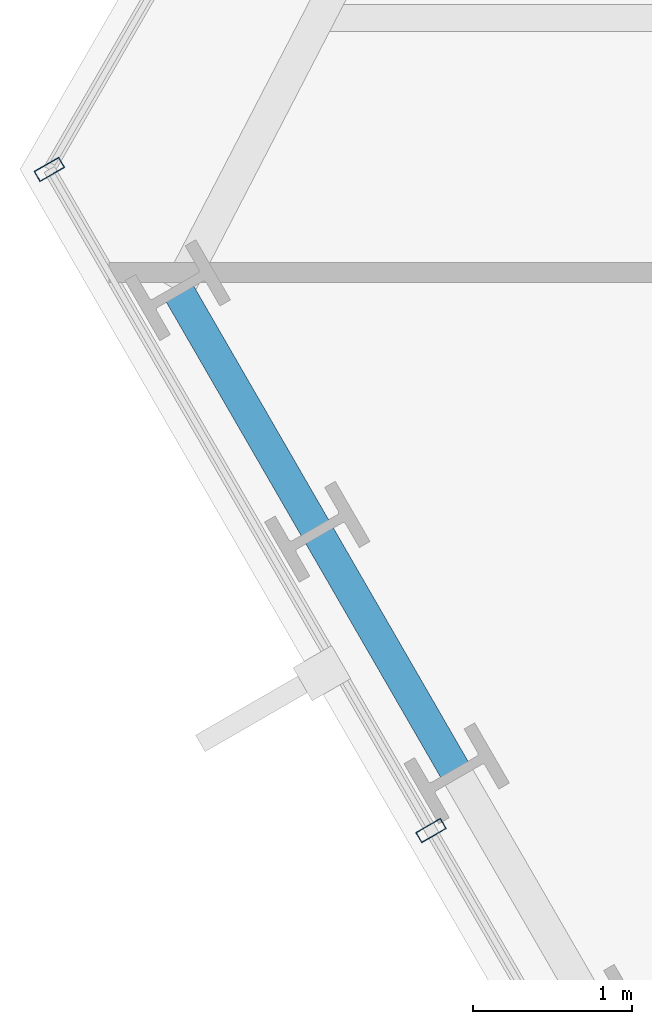
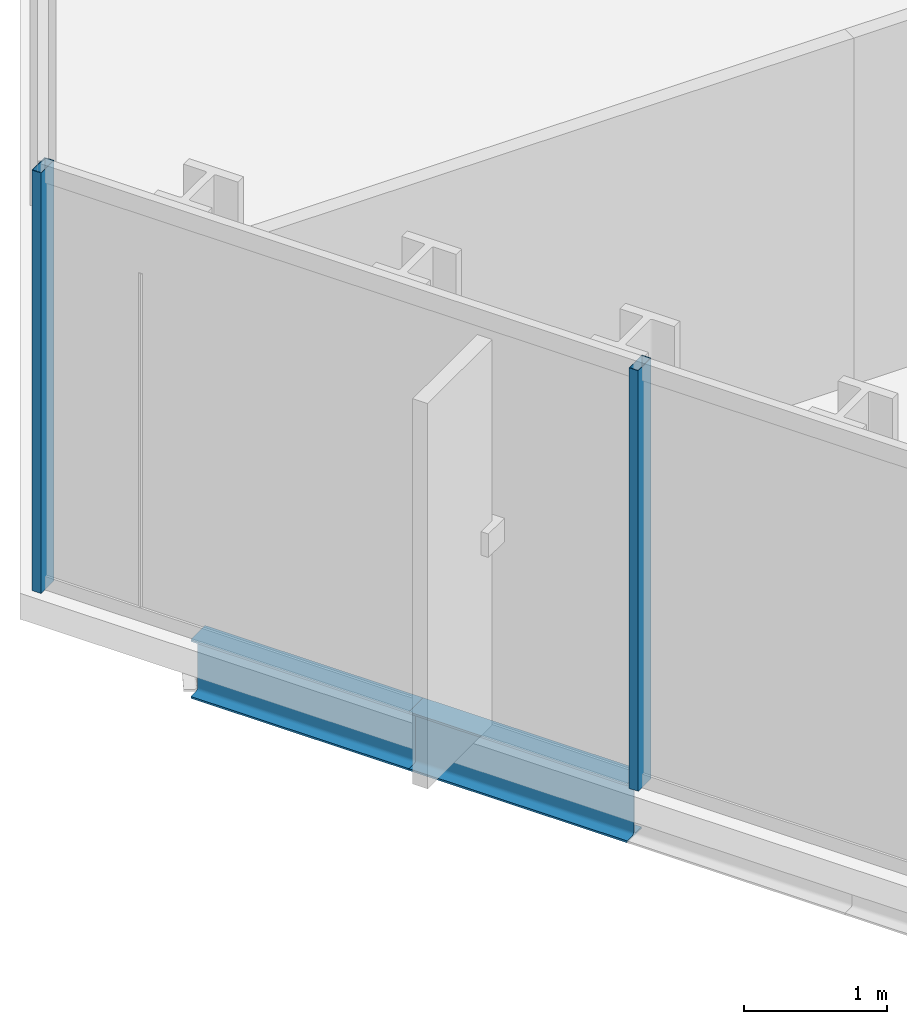
# One storey, part 5 of 33: 2 beams, 2 members, 1 element without a shape of its own.
"""IFC4 building model written with IfcOpenShell, lengths in metres."""

import ifcopenshell
import ifcopenshell.guid

model = None  # the IFC model being written
_history = None  # IfcOwnerHistory: only IFC2X3 demands one
_inside = {}  # id of a spatial element -> (the spatial element, [elements in it])
_under = {}  # id of a project, library or spatial element -> (it, [spatial elements below it])
_declared = {}  # id of a project -> (the project, [libraries it declares])
_typed = {}  # id of a type object -> (the type object, [elements of that type])
_made_of = {}  # id of a material, layer set ... -> (it, [elements and type objects made of it])


def new_model(schema):
    """Start an empty IFC model of exactly this schema.

    Asked for "IFC4X3", IfcOpenShell would pick the latest addendum, in which some entities
    have other attributes; the version numbers below select the first issue.
    IFC2X3 requires an IfcOwnerHistory on every rooted entity: one is made here for all.
    """
    global model, _history
    if schema == "IFC4X3":
        model = ifcopenshell.file(schema_version=(4, 3, 0, 0))
    else:
        model = ifcopenshell.file(schema=schema)
    _inside.clear()
    _under.clear()
    _declared.clear()
    _typed.clear()
    _made_of.clear()
    _history = None
    if model.schema == "IFC2X3":
        org = make("IfcOrganization", Name="unknown")
        user = make(
            "IfcPersonAndOrganization",
            ThePerson=make("IfcPerson", FamilyName="unknown"),
            TheOrganization=org,
        )
        app = make(
            "IfcApplication",
            ApplicationDeveloper=org,
            Version="unknown",
            ApplicationFullName="unknown",
            ApplicationIdentifier="unknown",
        )
        _history = make(
            "IfcOwnerHistory",
            OwningUser=user,
            OwningApplication=app,
            ChangeAction="ADDED",
            CreationDate=0,
        )
    return model


def make(cls, **values):
    """One entity of the class cls with the attributes given. An attribute that is None is left unset."""
    return model.create_entity(
        cls, **{name: value for name, value in values.items() if value is not None}
    )


def rooted(cls, **values):
    """An entity with a GlobalId (a new one), such as an element, a storey or a relation."""
    return make(cls, GlobalId=ifcopenshell.guid.new(), OwnerHistory=_history, **values)


def si_unit(unit_type, name, prefix=None):
    """IfcSIUnit, for example si_unit("LENGTHUNIT", "METRE", prefix="MILLI")."""
    return make("IfcSIUnit", UnitType=unit_type, Prefix=prefix, Name=name)


def assignment(units):
    """IfcUnitAssignment: the units of a project."""
    return None if units is None else make("IfcUnitAssignment", Units=units)


def point(xyz):
    """IfcCartesianPoint."""
    return None if xyz is None else make("IfcCartesianPoint", Coordinates=xyz)


def direction(xyz):
    """IfcDirection."""
    return None if xyz is None else make("IfcDirection", DirectionRatios=xyz)


def frame(location, z_axis=None, x_axis=None):
    """IfcAxis2Placement3D, a coordinate frame: its origin and axes. An axis left out is left unset."""
    return make(
        "IfcAxis2Placement3D",
        Location=point(location),
        Axis=direction(z_axis),
        RefDirection=direction(x_axis),
    )


def frame_2d(location, x_axis=None):
    """IfcAxis2Placement2D, a coordinate frame in the plane: its origin and x axis."""
    return make(
        "IfcAxis2Placement2D", Location=point(location), RefDirection=direction(x_axis)
    )


def origin():
    """The frame at (0, 0, 0) with its axes left unset."""
    return frame((0.0, 0.0, 0.0))


def origin_2d():
    """The frame at (0, 0) in the plane with its x axis left unset."""
    return frame_2d((0.0, 0.0))


def place(relative_to, where):
    """IfcLocalPlacement: puts the frame where relative to a parent placement (None: the world)."""
    return make(
        "IfcLocalPlacement", PlacementRelTo=relative_to, RelativePlacement=where
    )


def context(
    kind, dimensions, precision=None, world=None, true_north=None, identifier=None
):
    """IfcGeometricRepresentationContext, for example the 3D "Model" context."""
    return make(
        "IfcGeometricRepresentationContext",
        ContextIdentifier=identifier,
        ContextType=kind,
        CoordinateSpaceDimension=dimensions,
        Precision=precision,
        WorldCoordinateSystem=world,
        TrueNorth=true_north,
    )


def subcontext(parent, identifier, kind, view, scale=None):
    """IfcGeometricRepresentationSubContext, for example "Body" below "Model"."""
    return make(
        "IfcGeometricRepresentationSubContext",
        ContextIdentifier=identifier,
        ContextType=kind,
        ParentContext=parent,
        TargetScale=scale,
        TargetView=view,
    )


def project(units=None, contexts=None):
    """IfcProject with its units and contexts."""
    return rooted(
        "IfcProject",
        Name="project",
        RepresentationContexts=contexts,
        UnitsInContext=assignment(units),
    )


def spatial(cls, under=None, at=None, **own):
    """A site, building, storey or space (cls), placed at a placement, below another one or the project."""
    s = rooted(cls, ObjectPlacement=at, **own)
    if under is not None:
        _under.setdefault(under.id(), (under, []))[1].append(s)
    return s


def profile(cls, at=None, kind="AREA", **sizes):
    """A parametric profile (cls). Its sizes go by their IFC names, for example OverallWidth=200.0."""
    return make(cls, ProfileType=kind, Position=at, **sizes)


def hollow_rectangle(**sizes):
    """IfcRectangleHollowProfileDef."""
    return profile("IfcRectangleHollowProfileDef", **sizes)


def i_section(**sizes):
    """IfcIShapeProfileDef."""
    return profile("IfcIShapeProfileDef", **sizes)


def extrude(swept, where, along, depth):
    """IfcExtrudedAreaSolid: the profile swept, set in the frame where, extruded along a direction by depth."""
    return make(
        "IfcExtrudedAreaSolid",
        SweptArea=swept,
        Position=where,
        ExtrudedDirection=direction(along),
        Depth=depth,
    )


def shape(context_of_items, identifier, shape_type, items):
    """IfcShapeRepresentation: the items that make up one representation, for example the "Body"."""
    return make(
        "IfcShapeRepresentation",
        ContextOfItems=context_of_items,
        RepresentationIdentifier=identifier,
        RepresentationType=shape_type,
        Items=items,
    )


def material(Name=None, Category=None):
    """IfcMaterial."""
    return make("IfcMaterial", Name=Name, Category=Category)


def layer(
    of_material, thickness, ventilated=None, Name=None, Category=None, Priority=None
):
    """IfcMaterialLayer: one layer of a wall or slab, of a material (None: an air gap)."""
    return make(
        "IfcMaterialLayer",
        Material=of_material,
        LayerThickness=thickness,
        IsVentilated=ventilated,
        Name=Name,
        Category=Category,
        Priority=Priority,
    )


def layer_set(layers, Name=None):
    """IfcMaterialLayerSet."""
    return make("IfcMaterialLayerSet", MaterialLayers=layers, LayerSetName=Name)


def material_profile(
    of_material, cross_section, Name=None, Category=None, Priority=None
):
    """IfcMaterialProfile: a cross section and its material."""
    return make(
        "IfcMaterialProfile",
        Name=Name,
        Material=of_material,
        Profile=cross_section,
        Priority=Priority,
        Category=Category,
    )


def profile_set(profiles, Name=None, composite=None):
    """IfcMaterialProfileSet."""
    return make(
        "IfcMaterialProfileSet",
        Name=Name,
        MaterialProfiles=profiles,
        CompositeProfile=composite,
    )


def made_of(thing, what):
    """Note that an element or type object is made of a material, layer set ...; save() writes the relation."""
    if what is not None:
        _made_of.setdefault(what.id(), (what, []))[1].append(thing)
    return thing


def type_object(cls, material=None, **own):
    """A type object (cls), such as IfcWallType, which elements share."""
    return made_of(rooted(cls, **own), material)


def element(
    cls,
    number,
    at=None,
    inside=None,
    cuts=None,
    type_object=None,
    material=None,
    context=None,
    identifier="Body",
    shape_type=None,
    held_by="IfcProductDefinitionShape",
    body=None,
    shapes=None,
    **own,
):
    """One element of the class cls, such as IfcWall. Its Tag is "e" and its number.

    at: its placement. inside: the storey or other place that contains it. cuts: it is an
    opening in that element (IfcRelVoidsElement). A single representation is given by context,
    identifier, shape_type and body (its items); several are given by shapes. held_by: the class
    of the entity that holds the representations. save() writes the other relations.
    """
    e = rooted(cls, Tag="e%d" % number, ObjectPlacement=at, **own)
    if body is not None:
        shapes = [shape(context, identifier, shape_type, body)]
    if shapes is not None:
        e.Representation = make(held_by, Representations=shapes)
    if inside is not None:
        _inside.setdefault(inside.id(), (inside, []))[1].append(e)
    if cuts is not None:
        rooted(
            "IfcRelVoidsElement", RelatingBuildingElement=cuts, RelatedOpeningElement=e
        )
    if type_object is not None:
        _typed.setdefault(type_object.id(), (type_object, []))[1].append(e)
    return made_of(e, material)


def aggregate(whole, parts):
    """IfcRelAggregates: a whole, such as a stair, and the parts it consists of."""
    return rooted("IfcRelAggregates", RelatingObject=whole, RelatedObjects=parts)


def save(model, path):
    """Write the relations noted so far, then the file.

    IfcRelAggregates (storeys below a building ...), IfcRelContainedInSpatialStructure (elements
    in a storey), IfcRelDefinesByType, IfcRelAssociatesMaterial and IfcRelDeclares: one each for
    every whole, place, type object, material and project.
    """
    for whole, parts in _under.values():
        aggregate(whole, parts)
    for where, things in _inside.values():
        rooted(
            "IfcRelContainedInSpatialStructure",
            RelatedElements=things,
            RelatingStructure=where,
        )
    for kind, things in _typed.values():
        rooted("IfcRelDefinesByType", RelatedObjects=things, RelatingType=kind)
    for what, things in _made_of.values():
        rooted("IfcRelAssociatesMaterial", RelatedObjects=things, RelatingMaterial=what)
    for by, libraries in _declared.values():
        rooted("IfcRelDeclares", RelatingContext=by, RelatedDefinitions=libraries)
    model.write(path)


model = new_model("IFC4")

# Units and contexts
model_context = context("Model", 3, precision=1e-05, world=origin(), true_north=direction((0.0, 1.0)))
body_context = subcontext(model_context, "Body", "Model", "MODEL_VIEW")
ifc_project = project(units=[si_unit("LENGTHUNIT", "METRE"), si_unit("AREAUNIT", "SQUARE_METRE"), si_unit("VOLUMEUNIT", "CUBIC_METRE"), si_unit("PLANEANGLEUNIT", "RADIAN"), si_unit("MASSUNIT", "GRAM", prefix="KILO")], contexts=[model_context])

# Site, building, storey
site_placement = place(None, origin())
site = spatial("IfcSite", under=ifc_project, at=site_placement, CompositionType="ELEMENT")
building_placement = place(site_placement, origin())
building = spatial("IfcBuilding", under=site, at=building_placement, Name="Ndaravel Arena Tower", CompositionType="ELEMENT")
storey_placement = place(building_placement, frame((0.0, 0.0, 85.39990234375)))
storey = spatial("IfcBuildingStorey", under=building, at=storey_placement, Name="L19", CompositionType="ELEMENT", Elevation=85.39990234375)

# Beams
ifc_material_1 = material(Name="Steel S355", Category="steel")
ifc_material_profile_1 = material_profile(ifc_material_1, i_section(OverallWidth=0.199951171875, OverallDepth=0.5, WebThickness=0.01025390625, FlangeThickness=0.01611328125, FilletRadius=0.02099609375, at=origin_2d()), Name="IPE 500")
ifc_profile_set_1 = profile_set([ifc_material_profile_1], Name="Steel S355")
beam_type = type_object("IfcBeamType", Name="BM-SPAN-IPE500", PredefinedType="SPANDREL", material=ifc_profile_set_1)
beam_1_placement = place(storey_placement, frame((19.289794921875, 16.887451171875, -0.469970703125), z_axis=(0.500011241135, -0.866018913615, 0.0), x_axis=(0.866018913615, 0.500011241135, 0.0)))
element("IfcBeam", 1, at=beam_1_placement, inside=storey, type_object=beam_type, Name="L19 Perimeter Spandrel Beam SP-20", PredefinedType="SPANDREL", context=body_context, shape_type="SweptSolid", body=[
    extrude(i_section(OverallWidth=0.199951171875, OverallDepth=0.5, WebThickness=0.01025390625, FlangeThickness=0.01611328125, FilletRadius=0.02099609375, at=origin_2d()), origin(), (0.0, 0.0, 1.0), 1.75634765625),
])
beam_2_placement = place(storey_placement, frame((20.16796875, 15.366455078125, -0.469970703125), z_axis=(0.49990697594, -0.86607910459, 0.0), x_axis=(0.86607910459, 0.49990697594, 0.0)))
element("IfcBeam", 2, at=beam_2_placement, inside=storey, type_object=beam_type, Name="L19 Perimeter Spandrel Beam SP-21", PredefinedType="SPANDREL", context=body_context, shape_type="SweptSolid", body=[
    extrude(i_section(OverallWidth=0.199951171875, OverallDepth=0.5, WebThickness=0.01025390625, FlangeThickness=0.01611328125, FilletRadius=0.02099609375, at=origin_2d()), origin(), (0.0, 0.0, 1.0), 1.756103515625),
])

# Curtain wall, members
ifc_material_2 = material(Name="Aluminium", Category="aluminium")
ifc_layer = layer(ifc_material_2, 0.179931640625)
ifc_layer_set = layer_set([ifc_layer], Name="Aluminium")
curtain_wall_type = type_object("IfcCurtainWallType", Name="CW-SYS-02", PredefinedType="NOTDEFINED", material=ifc_layer_set)
curtain_wall_placement = place(storey_placement, origin())
curtain_wall = element("IfcCurtainWall", 3, at=curtain_wall_placement, inside=storey, type_object=curtain_wall_type, Name="L19 Faceted Crystal Curtain Wall CW-L19-E06", PredefinedType="NOTDEFINED")
ifc_material_3 = material(Name="Aluminium", Category="aluminium")
ifc_material_profile_2 = material_profile(ifc_material_3, hollow_rectangle(XDim=0.074951171875, YDim=0.179931640625, WallThickness=0.00390625, at=origin_2d()), Name="CW MULLION 75x180x4")
ifc_profile_set_2 = profile_set([ifc_material_profile_2], Name="Aluminium")
member_type = type_object("IfcMemberType", Name="MEM-CW-MUL180", PredefinedType="MULLION", material=ifc_profile_set_2)
member_1_placement = place(storey_placement, frame((18.481201171875, 17.64794921875, 0.0), z_axis=(0.0, 0.0, 1.0), x_axis=(0.5, -0.866025403784, 0.0)))
member_1 = element("IfcMember", 4, at=member_1_placement, type_object=member_type, Name="CW-L19-E06 Mullion 00", PredefinedType="MULLION", context=body_context, shape_type="SweptSolid", body=[
    extrude(hollow_rectangle(XDim=0.074951171875, YDim=0.179931640625, WallThickness=0.00390625, at=origin_2d()), origin(), (0.0, 0.0, 1.0), 3.580078125),
])
member_2_placement = place(storey_placement, frame((20.884521484375, 13.4853515625, 0.0), z_axis=(0.0, 0.0, 1.0), x_axis=(0.5, -0.866025403784, 0.0)))
member_2 = element("IfcMember", 5, at=member_2_placement, type_object=member_type, Name="CW-L19-E06 Mullion 01", PredefinedType="MULLION", context=body_context, shape_type="SweptSolid", body=[
    extrude(hollow_rectangle(XDim=0.074951171875, YDim=0.179931640625, WallThickness=0.00390625, at=origin_2d()), origin(), (0.0, 0.0, 1.0), 3.580078125),
])
aggregate(curtain_wall, [member_1, member_2])

save(model, "model.ifc")
